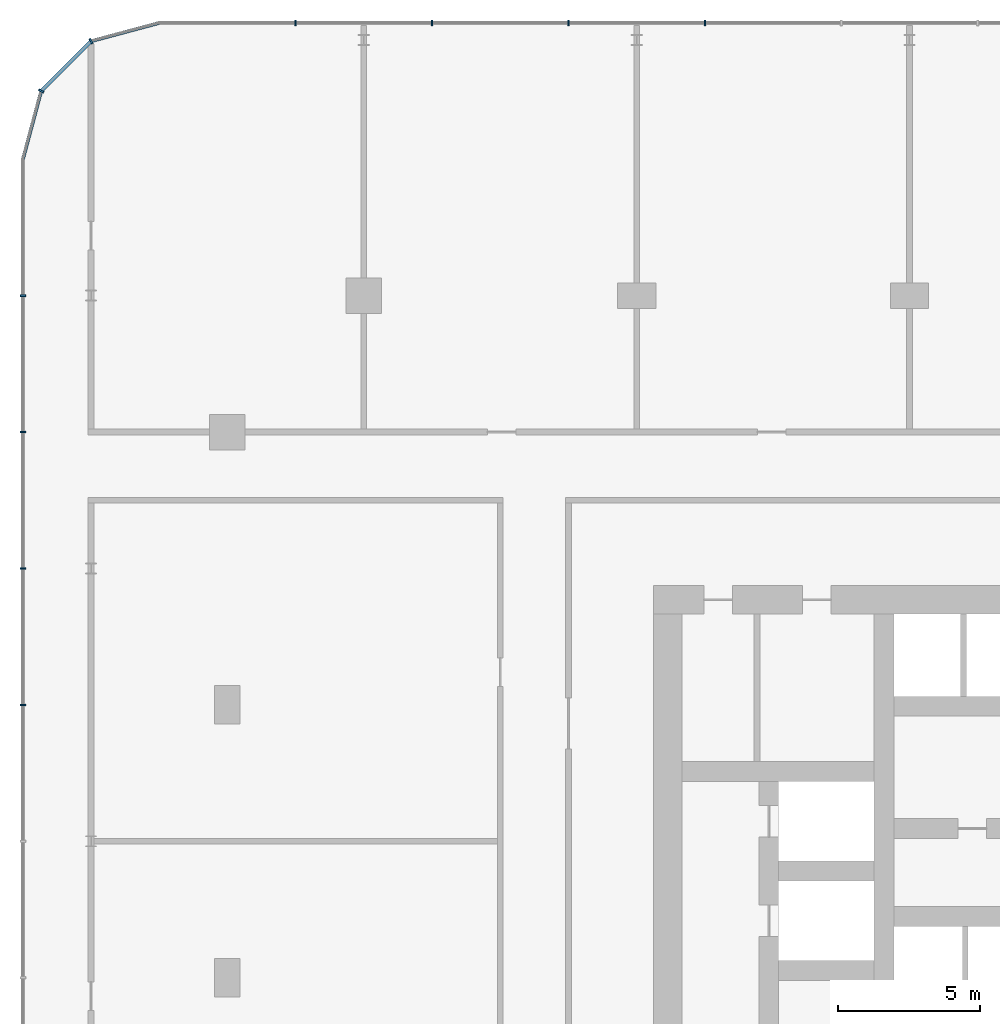
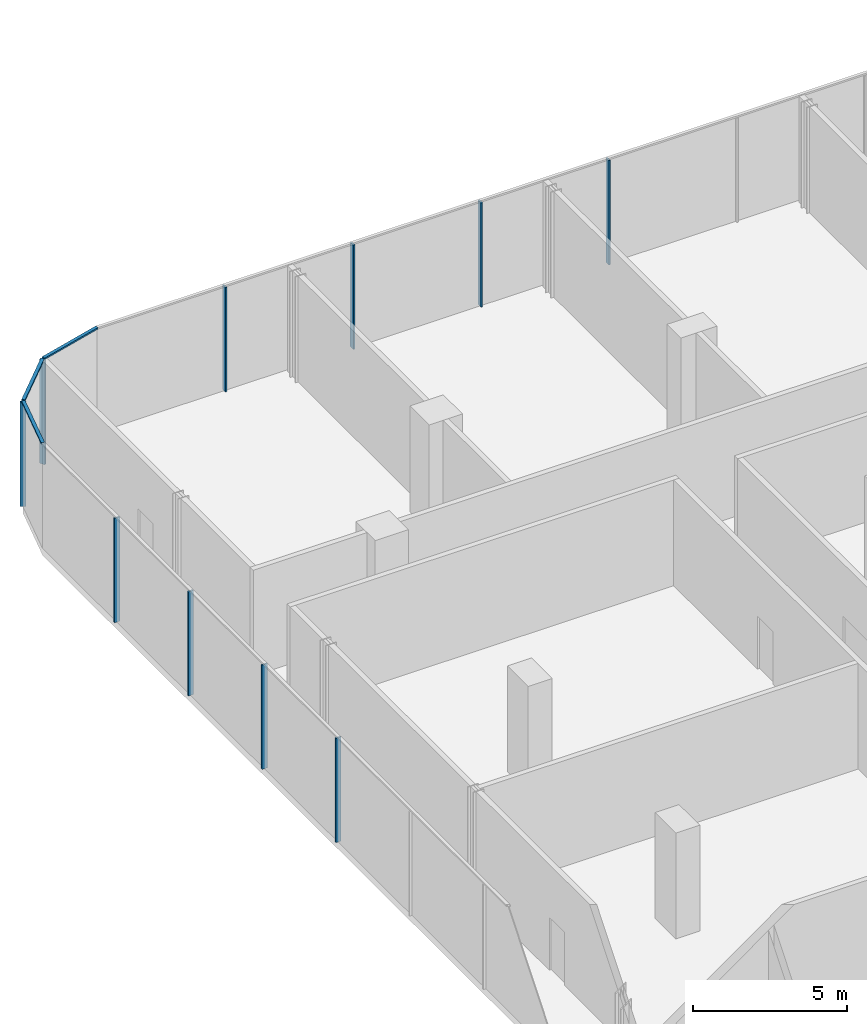
# One storey, part 17 of 45: 13 members, 3 elements without a shape of their own.
"""IFC4 building model written with IfcOpenShell, lengths in metres."""

from ifc_helpers import new_model, si_unit, direction, frame, origin, origin_2d, place, context, subcontext, project, spatial, rectangle, extrude, material, layer, layer_set, material_profile, profile_set, type_object, element, aggregate, save


model = new_model("IFC4")

# Units and contexts
model_context = context("Model", 3, precision=1e-05, world=origin(), true_north=direction((0.0, 1.0)))
body_context = subcontext(model_context, "Body", "Model", "MODEL_VIEW")
ifc_project = project(units=[si_unit("LENGTHUNIT", "METRE"), si_unit("AREAUNIT", "SQUARE_METRE"), si_unit("VOLUMEUNIT", "CUBIC_METRE"), si_unit("PLANEANGLEUNIT", "RADIAN"), si_unit("MASSUNIT", "GRAM", prefix="KILO")], contexts=[model_context])

# Site, building, storey
site_placement = place(None, origin())
site = spatial("IfcSite", under=ifc_project, at=site_placement, CompositionType="ELEMENT")
building_placement = place(site_placement, origin())
building = spatial("IfcBuilding", under=site, at=building_placement, Name="Madar Terraces", CompositionType="ELEMENT")
storey_placement = place(building_placement, frame((0.0, 0.0, 6.0)))
storey = spatial("IfcBuildingStorey", under=building, at=storey_placement, Name="L01", CompositionType="ELEMENT", Elevation=6.0)

# Curtain wall, members
ifc_material_1 = material(Name="Glass, clear low-iron, with black aluminium frame", Category="aluminium")
ifc_layer = layer(ifc_material_1, 0.199951171875)
ifc_layer_set = layer_set([ifc_layer], Name="Facade curtain wall, shopfront glazing")
curtain_wall_type = type_object("IfcCurtainWallType", Name="Facade curtain wall, shopfront glazing", PredefinedType="NOTDEFINED", material=ifc_layer_set)
curtain_wall_1_placement = place(storey_placement, origin())
curtain_wall_1 = element("IfcCurtainWall", 1, at=curtain_wall_1_placement, inside=storey, type_object=curtain_wall_type, Name="Outer skin curtain wall north bay 1", PredefinedType="NOTDEFINED")
ifc_material_2 = material(Name="Aluminium, black anodised", Category="aluminium")
ifc_material_profile_1 = material_profile(ifc_material_2, rectangle(XDim=0.199951171875, YDim=0.06005859375, at=origin_2d()), Name="Facade mullion 60x200")
ifc_profile_set_1 = profile_set([ifc_material_profile_1], Name="Aluminium, black anodised")
member_type_1 = type_object("IfcMemberType", Name="Facade mullion 60x200", PredefinedType="MULLION", material=ifc_profile_set_1)
member_1_placement = place(storey_placement, frame((16.800048828125, 57.60009765625, 0.0), z_axis=(0.0, 0.0, 1.0), x_axis=(0.0, -1.0, 0.0)))
member_1 = element("IfcMember", 2, at=member_1_placement, type_object=member_type_1, Name="Mullion 10", PredefinedType="MULLION", context=body_context, shape_type="SweptSolid", body=[
    extrude(rectangle(XDim=0.199951171875, YDim=0.06005859375, at=origin_2d()), origin(), (0.0, 0.0, 1.0), 4.139892578125),
])
member_2_placement = place(storey_placement, frame((12.0, 57.60009765625, 0.0), z_axis=(0.0, 0.0, 1.0), x_axis=(0.0, -1.0, 0.0)))
member_2 = element("IfcMember", 3, at=member_2_placement, type_object=member_type_1, Name="Mullion 11", PredefinedType="MULLION", context=body_context, shape_type="SweptSolid", body=[
    extrude(rectangle(XDim=0.199951171875, YDim=0.06005859375, at=origin_2d()), origin(), (0.0, 0.0, 1.0), 4.139892578125),
])
member_3_placement = place(storey_placement, frame((7.199951171875, 57.60009765625, 0.0), z_axis=(0.0, 0.0, 1.0), x_axis=(0.0, -1.0, 0.0)))
member_3 = element("IfcMember", 4, at=member_3_placement, type_object=member_type_1, Name="Mullion 12", PredefinedType="MULLION", context=body_context, shape_type="SweptSolid", body=[
    extrude(rectangle(XDim=0.199951171875, YDim=0.06005859375, at=origin_2d()), origin(), (0.0, 0.0, 1.0), 4.139892578125),
])
member_4_placement = place(storey_placement, frame((2.39990234375, 57.60009765625, 0.0), z_axis=(0.0, 0.0, 1.0), x_axis=(0.0, -1.0, 0.0)))
member_4 = element("IfcMember", 5, at=member_4_placement, type_object=member_type_1, Name="Mullion 13", PredefinedType="MULLION", context=body_context, shape_type="SweptSolid", body=[
    extrude(rectangle(XDim=0.199951171875, YDim=0.06005859375, at=origin_2d()), origin(), (0.0, 0.0, 1.0), 4.139892578125),
])
aggregate(curtain_wall_1, [member_1, member_2, member_3, member_4])

curtain_wall_2_placement = place(storey_placement, origin())
curtain_wall_2 = element("IfcCurtainWall", 6, at=curtain_wall_2_placement, inside=storey, type_object=curtain_wall_type, Name="Outer skin curtain wall west bay 1", PredefinedType="NOTDEFINED")
member_5_placement = place(storey_placement, frame((-7.199951171875, 48.0, 0.0), z_axis=(0.0, 0.0, 1.0), x_axis=(1.0, 0.0, 0.0)))
member_5 = element("IfcMember", 7, at=member_5_placement, type_object=member_type_1, Name="Mullion 1", PredefinedType="MULLION", context=body_context, shape_type="SweptSolid", body=[
    extrude(rectangle(XDim=0.199951171875, YDim=0.06005859375, at=origin_2d()), origin(), (0.0, 0.0, 1.0), 4.139892578125),
])
member_6_placement = place(storey_placement, frame((-7.199951171875, 43.199951171875, 0.0), z_axis=(0.0, 0.0, 1.0), x_axis=(1.0, 0.0, 0.0)))
member_6 = element("IfcMember", 8, at=member_6_placement, type_object=member_type_1, Name="Mullion 2", PredefinedType="MULLION", context=body_context, shape_type="SweptSolid", body=[
    extrude(rectangle(XDim=0.199951171875, YDim=0.06005859375, at=origin_2d()), origin(), (0.0, 0.0, 1.0), 4.139892578125),
])
member_7_placement = place(storey_placement, frame((-7.199951171875, 38.39990234375, 0.0), z_axis=(0.0, 0.0, 1.0), x_axis=(1.0, 0.0, 0.0)))
member_7 = element("IfcMember", 9, at=member_7_placement, type_object=member_type_1, Name="Mullion 3", PredefinedType="MULLION", context=body_context, shape_type="SweptSolid", body=[
    extrude(rectangle(XDim=0.199951171875, YDim=0.06005859375, at=origin_2d()), origin(), (0.0, 0.0, 1.0), 4.139892578125),
])
member_8_placement = place(storey_placement, frame((-7.199951171875, 33.60009765625, 0.0), z_axis=(0.0, 0.0, 1.0), x_axis=(1.0, 0.0, 0.0)))
member_8 = element("IfcMember", 10, at=member_8_placement, type_object=member_type_1, Name="Mullion 4", PredefinedType="MULLION", context=body_context, shape_type="SweptSolid", body=[
    extrude(rectangle(XDim=0.199951171875, YDim=0.06005859375, at=origin_2d()), origin(), (0.0, 0.0, 1.0), 4.139892578125),
])
aggregate(curtain_wall_2, [member_5, member_6, member_7, member_8])

curtain_wall_3_placement = place(storey_placement, origin())
curtain_wall_3 = element("IfcCurtainWall", 11, at=curtain_wall_3_placement, inside=storey, type_object=curtain_wall_type, Name="Outer skin curtain wall north-west corner", PredefinedType="NOTDEFINED")
member_9_placement = place(storey_placement, frame((-4.800048828125, 56.95703125, 0.0), z_axis=(0.0, 0.0, 1.0), x_axis=(0.499999989586, -0.866025409797, 0.0)))
member_9 = element("IfcMember", 12, at=member_9_placement, type_object=member_type_1, Name="Mullion 1", PredefinedType="MULLION", context=body_context, shape_type="SweptSolid", body=[
    extrude(rectangle(XDim=0.199951171875, YDim=0.06005859375, at=origin_2d()), origin(), (0.0, 0.0, 1.0), 4.139892578125),
])
member_10_placement = place(storey_placement, frame((-6.556884765625, 55.199951171875, 0.0), z_axis=(0.0, 0.0, 1.0), x_axis=(0.866025409797, -0.499999989586, 0.0)))
member_10 = element("IfcMember", 13, at=member_10_placement, type_object=member_type_1, Name="Mullion 2", PredefinedType="MULLION", context=body_context, shape_type="SweptSolid", body=[
    extrude(rectangle(XDim=0.199951171875, YDim=0.06005859375, at=origin_2d()), origin(), (0.0, 0.0, 1.0), 4.139892578125),
])
ifc_material_3 = material(Name="Aluminium, black anodised", Category="aluminium")
ifc_material_profile_2 = material_profile(ifc_material_3, rectangle(XDim=0.1201171875, YDim=0.06005859375, at=origin_2d()), Name="Facade transom 60x120")
ifc_profile_set_2 = profile_set([ifc_material_profile_2], Name="Aluminium, black anodised")
member_type_2 = type_object("IfcMemberType", Name="Facade transom 60x120", PredefinedType="USERDEFINED", material=ifc_profile_set_2)
member_11_placement = place(storey_placement, frame((-2.39990234375, 57.60009765625, 4.169921875), z_axis=(-0.965908980432, -0.258881906514, 0.0), x_axis=(0.258881906514, -0.965908980432, 0.0)))
member_11 = element("IfcMember", 14, at=member_11_placement, type_object=member_type_2, Name="Transom 1", ObjectType="TRANSOM", PredefinedType="USERDEFINED", context=body_context, shape_type="SweptSolid", body=[
    extrude(rectangle(XDim=0.1201171875, YDim=0.06005859375, at=origin_2d()), origin(), (0.0, 0.0, 1.0), 2.454833984375),
])
member_12_placement = place(storey_placement, frame((-4.8212890625, 56.935791015625, 4.169921875), z_axis=(-0.707056433593, -0.707157125196, 0.0), x_axis=(0.707157125196, -0.707056433593, 0.0)))
member_12 = element("IfcMember", 15, at=member_12_placement, type_object=member_type_2, Name="Transom 2", ObjectType="TRANSOM", PredefinedType="USERDEFINED", context=body_context, shape_type="SweptSolid", body=[
    extrude(rectangle(XDim=0.1201171875, YDim=0.06005859375, at=origin_2d()), origin(), (0.0, 0.0, 1.0), 2.424560546875),
])
member_13_placement = place(storey_placement, frame((-6.564697265625, 55.171142578125, 4.169921875), z_axis=(-0.258789113195, -0.965933846022, 0.0), x_axis=(0.965933846022, -0.258789113195, 0.0)))
member_13 = element("IfcMember", 16, at=member_13_placement, type_object=member_type_2, Name="Transom 3", ObjectType="TRANSOM", PredefinedType="USERDEFINED", context=body_context, shape_type="SweptSolid", body=[
    extrude(rectangle(XDim=0.1201171875, YDim=0.06005859375, at=origin_2d()), origin(), (0.0, 0.0, 1.0), 2.454833984375),
])
aggregate(curtain_wall_3, [member_9, member_11, member_10, member_12, member_13])

save(model, "model.ifc")
